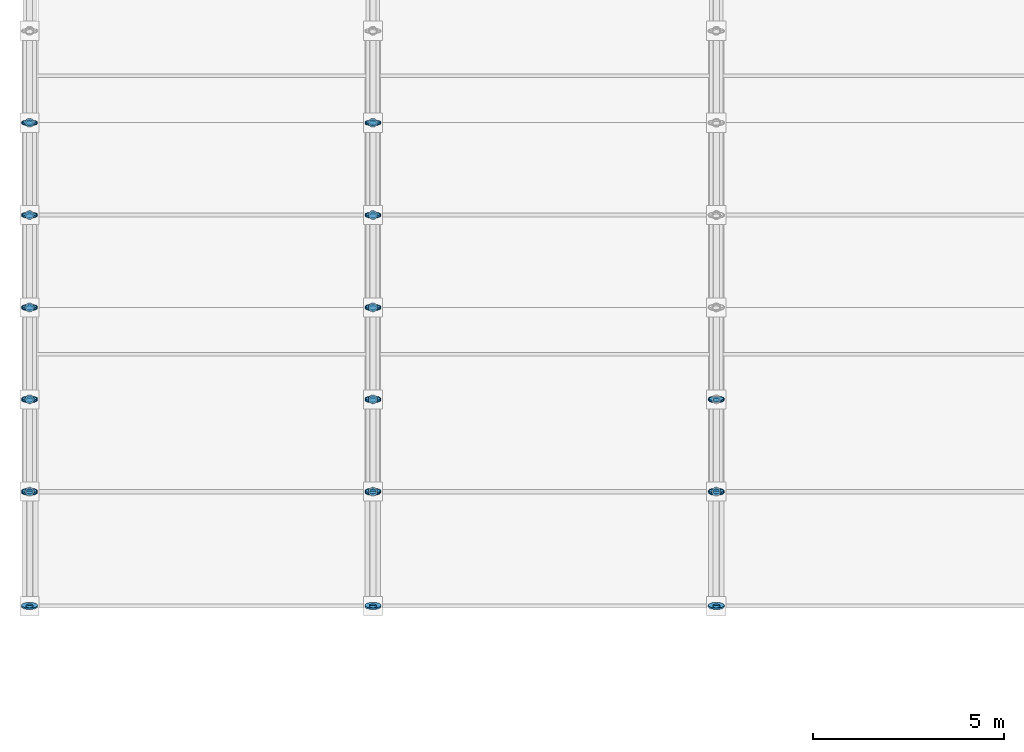
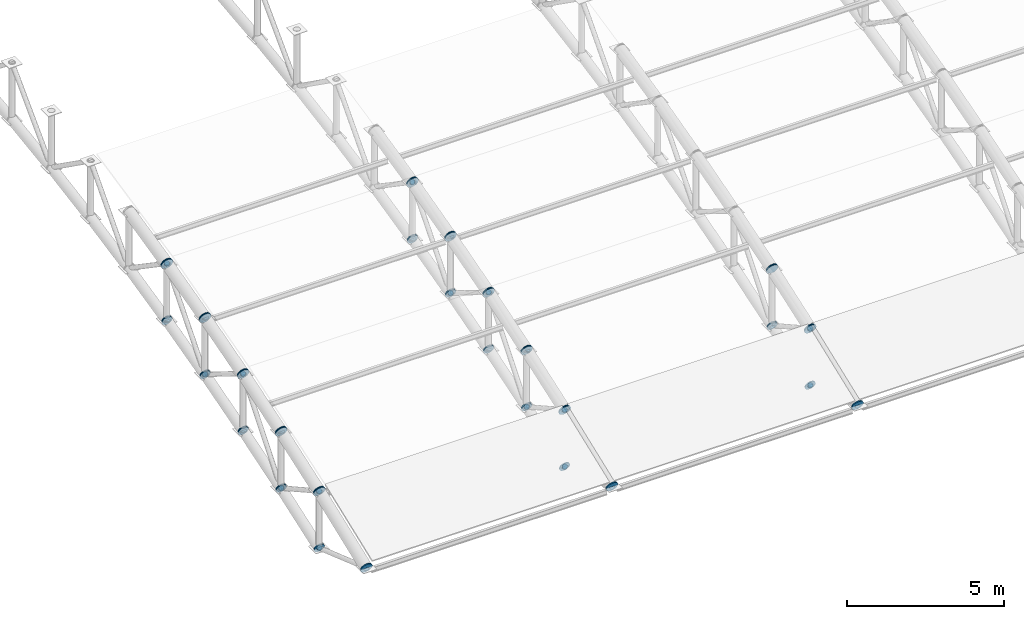
# One storey, part 117 of 195: 96 discrete accessories.
"""IFC4 building model written with IfcOpenShell, lengths in metres."""

from ifc_helpers import new_model, si_unit, direction, frame, origin, origin_2d, place, context, subcontext, project, spatial, circle, extrude, material, element, save


model = new_model("IFC4")

# Units and contexts
model_context = context("Model", 3, precision=1e-05, world=origin(), true_north=direction((0.0, 1.0)))
body_context = subcontext(model_context, "Body", "Model", "MODEL_VIEW")
ifc_project = project(units=[si_unit("LENGTHUNIT", "METRE"), si_unit("AREAUNIT", "SQUARE_METRE"), si_unit("VOLUMEUNIT", "CUBIC_METRE"), si_unit("PLANEANGLEUNIT", "RADIAN"), si_unit("MASSUNIT", "GRAM", prefix="KILO")], contexts=[model_context])

# Site, building, storey
site_placement = place(None, origin())
site = spatial("IfcSite", under=ifc_project, at=site_placement, CompositionType="ELEMENT")
building_placement = place(site_placement, origin())
building = spatial("IfcBuilding", under=site, at=building_placement, Name="Marlcrest Central Station", CompositionType="ELEMENT")
storey_placement = place(building_placement, frame((0.0, 0.0, 9.800048828125)))
storey = spatial("IfcBuildingStorey", under=building, at=storey_placement, Name="L02", CompositionType="ELEMENT", Elevation=9.800048828125)

# Discrete accessories
ifc_material = material(Name="Steel S355", Category="steel")
for number, where, z_axis, x_axis, name in (
    (1, (0.0, 33.486083984375, 0.4404296875), (0.0, 0.933324071143, 0.359035065453), (-1.0, 0.0, 0.0), "endcap-mem-AC-01-L02-00061-s"),
    (2, (0.0, 36.4765625, 1.5908203125), (0.0, 0.933324071143, 0.359035065453), (-1.0, 0.0, 0.0), "endcap-mem-AC-01-L02-00061-e"),
):
    element("IfcDiscreteAccessory", number, at=place(storey_placement, frame(where, z_axis=z_axis, x_axis=x_axis)), inside=storey, material=ifc_material, Name=name, ObjectType="END_CAP_PLATE", PredefinedType="BRACKET", context=body_context, shape_type="SweptSolid", body=[
        extrude(circle(Radius=0.211181640625, at=origin_2d()), origin(), (0.0, 0.0, 1.0), 0.0400390625),
    ])
for number, where, z_axis, x_axis, name in (
    (3, (0.0, 36.51416015625, -0.60498046875), (0.0, -0.944260188635, 0.329200085296), (1.0, 0.0, 0.0), "endcap-mem-AD-01-L02-00062-s"),
    (4, (0.0, 33.523681640625, 0.4375), (0.0, -0.944260188635, 0.329200085296), (1.0, 0.0, 0.0), "endcap-mem-AD-01-L02-00062-e"),
):
    element("IfcDiscreteAccessory", number, at=place(storey_placement, frame(where, z_axis=z_axis, x_axis=x_axis)), inside=storey, material=ifc_material, Name=name, ObjectType="END_CAP_PLATE", PredefinedType="BRACKET", context=body_context, shape_type="SweptSolid", body=[
        extrude(circle(Radius=0.092041015625, at=origin_2d()), origin(), (0.0, 0.0, 1.0), 0.0400390625),
    ])
for number, where, z_axis, x_axis, name in (
    (5, (0.0, 36.48583984375, 1.594970703125), (0.0, 0.94353735649, 0.331266142109), (-1.0, 0.0, 0.0), "endcap-mem-AC-01-L02-00063-s"),
    (6, (0.0, 38.896240234375, 2.441162109375), (0.0, 0.94353735649, 0.331266142109), (-1.0, 0.0, 0.0), "endcap-mem-AC-01-L02-00063-e"),
):
    element("IfcDiscreteAccessory", number, at=place(storey_placement, frame(where, z_axis=z_axis, x_axis=x_axis)), inside=storey, material=ifc_material, Name=name, ObjectType="END_CAP_PLATE", PredefinedType="BRACKET", context=body_context, shape_type="SweptSolid", body=[
        extrude(circle(Radius=0.211181640625, at=origin_2d()), origin(), (0.0, 0.0, 1.0), 0.0400390625),
    ])
for number, where, z_axis, x_axis, name in (
    (7, (0.0, 36.48583984375, -0.60498046875), (0.0, 0.94353735649, 0.331266142109), (-1.0, 0.0, 0.0), "endcap-mem-AC-02-L02-00064-s"),
    (8, (0.0, 38.896240234375, 0.2412109375), (0.0, 0.94353735649, 0.331266142109), (-1.0, 0.0, 0.0), "endcap-mem-AC-02-L02-00064-e"),
):
    element("IfcDiscreteAccessory", number, at=place(storey_placement, frame(where, z_axis=z_axis, x_axis=x_axis)), inside=storey, material=ifc_material, Name=name, ObjectType="END_CAP_PLATE", PredefinedType="BRACKET", context=body_context, shape_type="SweptSolid", body=[
        extrude(circle(Radius=0.185791015625, at=origin_2d()), origin(), (0.0, 0.0, 1.0), 0.0400390625),
    ])
for number, where, z_axis, x_axis, name in (
    (9, (0.0, 36.5, -0.614990234375), (0.0, 0.0, 1.0), (1.0, 0.0, 0.0), "endcap-mem-AP-01-L02-00065-s"),
    (10, (0.0, 36.5, 1.574951171875), (0.0, 0.0, 1.0), (1.0, 0.0, 0.0), "endcap-mem-AP-01-L02-00065-e"),
):
    element("IfcDiscreteAccessory", number, at=place(storey_placement, frame(where, z_axis=z_axis, x_axis=x_axis)), inside=storey, material=ifc_material, Name=name, ObjectType="END_CAP_PLATE", PredefinedType="BRACKET", context=body_context, shape_type="SweptSolid", body=[
        extrude(circle(Radius=0.117431640625, at=origin_2d()), origin(), (0.0, 0.0, 1.0), 0.0400390625),
    ])
for number, where, z_axis, x_axis, name in (
    (11, (0.0, 36.48681640625, 1.607177734375), (0.0, 0.873245653167, -0.487280236851), (-1.0, 0.0, 0.0), "endcap-mem-AD-01-L02-00066-s"),
    (12, (0.0, 38.898193359375, 0.26171875), (0.0, 0.873245653167, -0.487280236851), (-1.0, 0.0, 0.0), "endcap-mem-AD-01-L02-00066-e"),
):
    element("IfcDiscreteAccessory", number, at=place(storey_placement, frame(where, z_axis=z_axis, x_axis=x_axis)), inside=storey, material=ifc_material, Name=name, ObjectType="END_CAP_PLATE", PredefinedType="BRACKET", context=body_context, shape_type="SweptSolid", body=[
        extrude(circle(Radius=0.092041015625, at=origin_2d()), origin(), (0.0, 0.0, 1.0), 0.0400390625),
    ])
for number, where, z_axis, x_axis, name in (
    (13, (0.0, 38.90576171875, 2.44482421875), (0.0, 0.952116828449, 0.305734435391), (-1.0, 0.0, 0.0), "endcap-mem-AC-01-L02-00067-s"),
    (14, (0.0, 41.306396484375, 3.2158203125), (0.0, 0.952116828449, 0.305734435391), (-1.0, 0.0, 0.0), "endcap-mem-AC-01-L02-00067-e"),
):
    element("IfcDiscreteAccessory", number, at=place(storey_placement, frame(where, z_axis=z_axis, x_axis=x_axis)), inside=storey, material=ifc_material, Name=name, ObjectType="END_CAP_PLATE", PredefinedType="BRACKET", context=body_context, shape_type="SweptSolid", body=[
        extrude(circle(Radius=0.211181640625, at=origin_2d()), origin(), (0.0, 0.0, 1.0), 0.0400390625),
    ])
for number, where, z_axis, x_axis, name in (
    (15, (0.0, 38.90576171875, 0.244873046875), (0.0, 0.952116828449, 0.305734435391), (-1.0, 0.0, 0.0), "endcap-mem-AC-02-L02-00068-s"),
    (16, (0.0, 41.306396484375, 1.015869140625), (0.0, 0.952116828449, 0.305734435391), (-1.0, 0.0, 0.0), "endcap-mem-AC-02-L02-00068-e"),
):
    element("IfcDiscreteAccessory", number, at=place(storey_placement, frame(where, z_axis=z_axis, x_axis=x_axis)), inside=storey, material=ifc_material, Name=name, ObjectType="END_CAP_PLATE", PredefinedType="BRACKET", context=body_context, shape_type="SweptSolid", body=[
        extrude(circle(Radius=0.185791015625, at=origin_2d()), origin(), (0.0, 0.0, 1.0), 0.0400390625),
    ])
for number, where, z_axis, x_axis, name in (
    (17, (0.0, 38.919921875, 0.234619140625), (0.0, 0.0, 1.0), (1.0, 0.0, 0.0), "endcap-mem-AP-01-L02-00069-s"),
    (18, (0.0, 38.919921875, 2.424560546875), (0.0, 0.0, 1.0), (1.0, 0.0, 0.0), "endcap-mem-AP-01-L02-00069-e"),
):
    element("IfcDiscreteAccessory", number, at=place(storey_placement, frame(where, z_axis=z_axis, x_axis=x_axis)), inside=storey, material=ifc_material, Name=name, ObjectType="END_CAP_PLATE", PredefinedType="BRACKET", context=body_context, shape_type="SweptSolid", body=[
        extrude(circle(Radius=0.117431640625, at=origin_2d()), origin(), (0.0, 0.0, 1.0), 0.0400390625),
    ])
for number, where, z_axis, x_axis, name in (
    (19, (0.0, 38.910400390625, 0.23779296875), (0.0, 0.62962929743, 0.776895712318), (-1.0, 0.0, 0.0), "endcap-mem-AD-01-L02-00070-s"),
    (20, (0.0, 41.314453125, 3.203857421875), (0.0, 0.62962929743, 0.776895712318), (-1.0, 0.0, 0.0), "endcap-mem-AD-01-L02-00070-e"),
):
    element("IfcDiscreteAccessory", number, at=place(storey_placement, frame(where, z_axis=z_axis, x_axis=x_axis)), inside=storey, material=ifc_material, Name=name, ObjectType="END_CAP_PLATE", PredefinedType="BRACKET", context=body_context, shape_type="SweptSolid", body=[
        extrude(circle(Radius=0.092041015625, at=origin_2d()), origin(), (0.0, 0.0, 1.0), 0.0400390625),
    ])
for number, where, z_axis, x_axis, name in (
    (21, (0.0, 41.315673828125, 3.21923828125), (0.0, 0.960130083362, 0.27955361386), (-1.0, 0.0, 0.0), "endcap-mem-AC-01-L02-00071-s"),
    (22, (0.0, 43.72607421875, 3.9208984375), (0.0, 0.960130083362, 0.27955361386), (-1.0, 0.0, 0.0), "endcap-mem-AC-01-L02-00071-e"),
):
    element("IfcDiscreteAccessory", number, at=place(storey_placement, frame(where, z_axis=z_axis, x_axis=x_axis)), inside=storey, material=ifc_material, Name=name, ObjectType="END_CAP_PLATE", PredefinedType="BRACKET", context=body_context, shape_type="SweptSolid", body=[
        extrude(circle(Radius=0.211181640625, at=origin_2d()), origin(), (0.0, 0.0, 1.0), 0.0400390625),
    ])
for number, where, z_axis, x_axis, name in (
    (23, (0.0, 41.315673828125, 1.019287109375), (0.0, 0.960130083362, 0.27955361386), (-1.0, 0.0, 0.0), "endcap-mem-AC-02-L02-00072-s"),
    (24, (0.0, 43.72607421875, 1.720947265625), (0.0, 0.960130083362, 0.27955361386), (-1.0, 0.0, 0.0), "endcap-mem-AC-02-L02-00072-e"),
):
    element("IfcDiscreteAccessory", number, at=place(storey_placement, frame(where, z_axis=z_axis, x_axis=x_axis)), inside=storey, material=ifc_material, Name=name, ObjectType="END_CAP_PLATE", PredefinedType="BRACKET", context=body_context, shape_type="SweptSolid", body=[
        extrude(circle(Radius=0.185791015625, at=origin_2d()), origin(), (0.0, 0.0, 1.0), 0.0400390625),
    ])
for number, where, z_axis, x_axis, name in (
    (25, (0.0, 41.330078125, 1.008544921875), (0.0, 0.0, 1.0), (1.0, 0.0, 0.0), "endcap-mem-AP-01-L02-00073-s"),
    (26, (0.0, 41.330078125, 3.198486328125), (0.0, 0.0, 1.0), (1.0, 0.0, 0.0), "endcap-mem-AP-01-L02-00073-e"),
):
    element("IfcDiscreteAccessory", number, at=place(storey_placement, frame(where, z_axis=z_axis, x_axis=x_axis)), inside=storey, material=ifc_material, Name=name, ObjectType="END_CAP_PLATE", PredefinedType="BRACKET", context=body_context, shape_type="SweptSolid", body=[
        extrude(circle(Radius=0.117431640625, at=origin_2d()), origin(), (0.0, 0.0, 1.0), 0.0400390625),
    ])
for number, where, z_axis, x_axis, name in (
    (27, (0.0, 41.3173828125, 3.231201171875), (0.0, 0.850687380038, -0.525671933286), (-1.0, 0.0, 0.0), "endcap-mem-AD-01-L02-00074-s"),
    (28, (0.0, 43.728759765625, 1.7412109375), (0.0, 0.850687380038, -0.525671933286), (-1.0, 0.0, 0.0), "endcap-mem-AD-01-L02-00074-e"),
):
    element("IfcDiscreteAccessory", number, at=place(storey_placement, frame(where, z_axis=z_axis, x_axis=x_axis)), inside=storey, material=ifc_material, Name=name, ObjectType="END_CAP_PLATE", PredefinedType="BRACKET", context=body_context, shape_type="SweptSolid", body=[
        extrude(circle(Radius=0.092041015625, at=origin_2d()), origin(), (0.0, 0.0, 1.0), 0.0400390625),
    ])
for number, where, z_axis, x_axis, name in (
    (29, (0.0, 43.735595703125, 3.924072265625), (0.0, 0.967539481681, 0.252719906989), (-1.0, 0.0, 0.0), "endcap-mem-AC-01-L02-00075-s"),
    (30, (0.0, 46.145751953125, 4.5537109375), (0.0, 0.967539481681, 0.252719906989), (-1.0, 0.0, 0.0), "endcap-mem-AC-01-L02-00075-e"),
):
    element("IfcDiscreteAccessory", number, at=place(storey_placement, frame(where, z_axis=z_axis, x_axis=x_axis)), inside=storey, material=ifc_material, Name=name, ObjectType="END_CAP_PLATE", PredefinedType="BRACKET", context=body_context, shape_type="SweptSolid", body=[
        extrude(circle(Radius=0.211181640625, at=origin_2d()), origin(), (0.0, 0.0, 1.0), 0.0400390625),
    ])
for number, where, z_axis, x_axis, name in (
    (31, (0.0, 43.735595703125, 1.72412109375), (0.0, 0.967563345928, 0.252628524946), (-1.0, 0.0, 0.0), "endcap-mem-AC-02-L02-00076-s"),
    (32, (0.0, 46.145751953125, 2.353515625), (0.0, 0.967563345928, 0.252628524946), (-1.0, 0.0, 0.0), "endcap-mem-AC-02-L02-00076-e"),
):
    element("IfcDiscreteAccessory", number, at=place(storey_placement, frame(where, z_axis=z_axis, x_axis=x_axis)), inside=storey, material=ifc_material, Name=name, ObjectType="END_CAP_PLATE", PredefinedType="BRACKET", context=body_context, shape_type="SweptSolid", body=[
        extrude(circle(Radius=0.185791015625, at=origin_2d()), origin(), (0.0, 0.0, 1.0), 0.0400390625),
    ])
for number, where, z_axis, x_axis, name in (
    (33, (0.0, 43.75, 1.713134765625), (0.0, 0.0, 1.0), (1.0, 0.0, 0.0), "endcap-mem-AP-01-L02-00077-s"),
    (34, (0.0, 43.75, 3.903076171875), (0.0, 0.0, 1.0), (1.0, 0.0, 0.0), "endcap-mem-AP-01-L02-00077-e"),
):
    element("IfcDiscreteAccessory", number, at=place(storey_placement, frame(where, z_axis=z_axis, x_axis=x_axis)), inside=storey, material=ifc_material, Name=name, ObjectType="END_CAP_PLATE", PredefinedType="BRACKET", context=body_context, shape_type="SweptSolid", body=[
        extrude(circle(Radius=0.117431640625, at=origin_2d()), origin(), (0.0, 0.0, 1.0), 0.0400390625),
    ])
for number, where, z_axis, x_axis, name in (
    (35, (0.0, 43.740234375, 1.716552734375), (0.0, 0.649624779144, 0.760254987699), (-1.0, 0.0, 0.0), "endcap-mem-AD-01-L02-00078-s"),
    (36, (0.0, 46.153564453125, 4.541015625), (0.0, 0.649624779144, 0.760254987699), (-1.0, 0.0, 0.0), "endcap-mem-AD-01-L02-00078-e"),
):
    element("IfcDiscreteAccessory", number, at=place(storey_placement, frame(where, z_axis=z_axis, x_axis=x_axis)), inside=storey, material=ifc_material, Name=name, ObjectType="END_CAP_PLATE", PredefinedType="BRACKET", context=body_context, shape_type="SweptSolid", body=[
        extrude(circle(Radius=0.092041015625, at=origin_2d()), origin(), (0.0, 0.0, 1.0), 0.0400390625),
    ])
discrete_accessory_1_placement = place(storey_placement, frame((0.0, 46.1552734375, 4.556640625), z_axis=(0.0, 0.974329612642, 0.225126200004), x_axis=(-1.0, 0.0, 0.0)))
element("IfcDiscreteAccessory", 37, at=discrete_accessory_1_placement, inside=storey, material=ifc_material, Name="endcap-mem-AC-01-L02-00079-s", ObjectType="END_CAP_PLATE", PredefinedType="BRACKET", context=body_context, shape_type="SweptSolid", body=[
    extrude(circle(Radius=0.211181640625, at=origin_2d()), origin(), (0.0, 0.0, 1.0), 0.0400390625),
])
discrete_accessory_2_placement = place(storey_placement, frame((0.0, 46.1552734375, 2.3564453125), z_axis=(0.0, 0.974307959875, 0.225219891049), x_axis=(-1.0, 0.0, 0.0)))
element("IfcDiscreteAccessory", 38, at=discrete_accessory_2_placement, inside=storey, material=ifc_material, Name="endcap-mem-AC-02-L02-00080-s", ObjectType="END_CAP_PLATE", PredefinedType="BRACKET", context=body_context, shape_type="SweptSolid", body=[
    extrude(circle(Radius=0.185791015625, at=origin_2d()), origin(), (0.0, 0.0, 1.0), 0.0400390625),
])
for number, where, z_axis, x_axis, name in (
    (39, (0.0, 46.169921875, 2.344970703125), (0.0, 0.0, 1.0), (1.0, 0.0, 0.0), "endcap-mem-AP-01-L02-00081-s"),
    (40, (0.0, 46.169921875, 4.53515625), (0.0, 0.0, 1.0), (1.0, 0.0, 0.0), "endcap-mem-AP-01-L02-00081-e"),
):
    element("IfcDiscreteAccessory", number, at=place(storey_placement, frame(where, z_axis=z_axis, x_axis=x_axis)), inside=storey, material=ifc_material, Name=name, ObjectType="END_CAP_PLATE", PredefinedType="BRACKET", context=body_context, shape_type="SweptSolid", body=[
        extrude(circle(Radius=0.117431640625, at=origin_2d()), origin(), (0.0, 0.0, 1.0), 0.0400390625),
    ])
discrete_accessory_3_placement = place(storey_placement, frame((0.0, 46.157470703125, 4.568603515625), z_axis=(0.0, 0.82626275624, -0.563284881432), x_axis=(-1.0, 0.0, 0.0)))
element("IfcDiscreteAccessory", 41, at=discrete_accessory_3_placement, inside=storey, material=ifc_material, Name="endcap-mem-AD-01-L02-00082-s", ObjectType="END_CAP_PLATE", PredefinedType="BRACKET", context=body_context, shape_type="SweptSolid", body=[
    extrude(circle(Radius=0.092041015625, at=origin_2d()), origin(), (0.0, 0.0, 1.0), 0.0400390625),
])
for number, where, z_axis, x_axis, name in (
    (42, (9.0, 33.486083984375, 0.4404296875), (0.0, 0.933324071143, 0.359035065453), (-1.0, 0.0, 0.0), "endcap-mem-AC-01-L02-00177-s"),
    (43, (9.0, 36.4765625, 1.5908203125), (0.0, 0.933324071143, 0.359035065453), (-1.0, 0.0, 0.0), "endcap-mem-AC-01-L02-00177-e"),
):
    element("IfcDiscreteAccessory", number, at=place(storey_placement, frame(where, z_axis=z_axis, x_axis=x_axis)), inside=storey, material=ifc_material, Name=name, ObjectType="END_CAP_PLATE", PredefinedType="BRACKET", context=body_context, shape_type="SweptSolid", body=[
        extrude(circle(Radius=0.211181640625, at=origin_2d()), origin(), (0.0, 0.0, 1.0), 0.0400390625),
    ])
for number, where, z_axis, x_axis, name in (
    (44, (9.0, 36.51416015625, -0.60498046875), (0.0, -0.944260188635, 0.329200085296), (1.0, 0.0, 0.0), "endcap-mem-AD-01-L02-00178-s"),
    (45, (9.0, 33.523681640625, 0.4375), (0.0, -0.944260188635, 0.329200085296), (1.0, 0.0, 0.0), "endcap-mem-AD-01-L02-00178-e"),
):
    element("IfcDiscreteAccessory", number, at=place(storey_placement, frame(where, z_axis=z_axis, x_axis=x_axis)), inside=storey, material=ifc_material, Name=name, ObjectType="END_CAP_PLATE", PredefinedType="BRACKET", context=body_context, shape_type="SweptSolid", body=[
        extrude(circle(Radius=0.092041015625, at=origin_2d()), origin(), (0.0, 0.0, 1.0), 0.0400390625),
    ])
for number, where, z_axis, x_axis, name in (
    (46, (9.0, 36.48583984375, 1.594970703125), (0.0, 0.94353735649, 0.331266142109), (-1.0, 0.0, 0.0), "endcap-mem-AC-01-L02-00179-s"),
    (47, (9.0, 38.896240234375, 2.441162109375), (0.0, 0.94353735649, 0.331266142109), (-1.0, 0.0, 0.0), "endcap-mem-AC-01-L02-00179-e"),
):
    element("IfcDiscreteAccessory", number, at=place(storey_placement, frame(where, z_axis=z_axis, x_axis=x_axis)), inside=storey, material=ifc_material, Name=name, ObjectType="END_CAP_PLATE", PredefinedType="BRACKET", context=body_context, shape_type="SweptSolid", body=[
        extrude(circle(Radius=0.211181640625, at=origin_2d()), origin(), (0.0, 0.0, 1.0), 0.0400390625),
    ])
for number, where, z_axis, x_axis, name in (
    (48, (9.0, 36.48583984375, -0.60498046875), (0.0, 0.94353735649, 0.331266142109), (-1.0, 0.0, 0.0), "endcap-mem-AC-02-L02-00180-s"),
    (49, (9.0, 38.896240234375, 0.2412109375), (0.0, 0.94353735649, 0.331266142109), (-1.0, 0.0, 0.0), "endcap-mem-AC-02-L02-00180-e"),
):
    element("IfcDiscreteAccessory", number, at=place(storey_placement, frame(where, z_axis=z_axis, x_axis=x_axis)), inside=storey, material=ifc_material, Name=name, ObjectType="END_CAP_PLATE", PredefinedType="BRACKET", context=body_context, shape_type="SweptSolid", body=[
        extrude(circle(Radius=0.185791015625, at=origin_2d()), origin(), (0.0, 0.0, 1.0), 0.0400390625),
    ])
for number, where, z_axis, x_axis, name in (
    (50, (9.0, 36.5, -0.614990234375), (0.0, 0.0, 1.0), (1.0, 0.0, 0.0), "endcap-mem-AP-01-L02-00181-s"),
    (51, (9.0, 36.5, 1.574951171875), (0.0, 0.0, 1.0), (1.0, 0.0, 0.0), "endcap-mem-AP-01-L02-00181-e"),
):
    element("IfcDiscreteAccessory", number, at=place(storey_placement, frame(where, z_axis=z_axis, x_axis=x_axis)), inside=storey, material=ifc_material, Name=name, ObjectType="END_CAP_PLATE", PredefinedType="BRACKET", context=body_context, shape_type="SweptSolid", body=[
        extrude(circle(Radius=0.117431640625, at=origin_2d()), origin(), (0.0, 0.0, 1.0), 0.0400390625),
    ])
for number, where, z_axis, x_axis, name in (
    (52, (9.0, 36.48681640625, 1.607177734375), (0.0, 0.873245653167, -0.487280236851), (-1.0, 0.0, 0.0), "endcap-mem-AD-01-L02-00182-s"),
    (53, (9.0, 38.898193359375, 0.26171875), (0.0, 0.873245653167, -0.487280236851), (-1.0, 0.0, 0.0), "endcap-mem-AD-01-L02-00182-e"),
):
    element("IfcDiscreteAccessory", number, at=place(storey_placement, frame(where, z_axis=z_axis, x_axis=x_axis)), inside=storey, material=ifc_material, Name=name, ObjectType="END_CAP_PLATE", PredefinedType="BRACKET", context=body_context, shape_type="SweptSolid", body=[
        extrude(circle(Radius=0.092041015625, at=origin_2d()), origin(), (0.0, 0.0, 1.0), 0.0400390625),
    ])
for number, where, z_axis, x_axis, name in (
    (54, (9.0, 38.90576171875, 2.44482421875), (0.0, 0.952116828449, 0.305734435391), (-1.0, 0.0, 0.0), "endcap-mem-AC-01-L02-00183-s"),
    (55, (9.0, 41.306396484375, 3.2158203125), (0.0, 0.952116828449, 0.305734435391), (-1.0, 0.0, 0.0), "endcap-mem-AC-01-L02-00183-e"),
):
    element("IfcDiscreteAccessory", number, at=place(storey_placement, frame(where, z_axis=z_axis, x_axis=x_axis)), inside=storey, material=ifc_material, Name=name, ObjectType="END_CAP_PLATE", PredefinedType="BRACKET", context=body_context, shape_type="SweptSolid", body=[
        extrude(circle(Radius=0.211181640625, at=origin_2d()), origin(), (0.0, 0.0, 1.0), 0.0400390625),
    ])
for number, where, z_axis, x_axis, name in (
    (56, (9.0, 38.90576171875, 0.244873046875), (0.0, 0.952116828449, 0.305734435391), (-1.0, 0.0, 0.0), "endcap-mem-AC-02-L02-00184-s"),
    (57, (9.0, 41.306396484375, 1.015869140625), (0.0, 0.952116828449, 0.305734435391), (-1.0, 0.0, 0.0), "endcap-mem-AC-02-L02-00184-e"),
):
    element("IfcDiscreteAccessory", number, at=place(storey_placement, frame(where, z_axis=z_axis, x_axis=x_axis)), inside=storey, material=ifc_material, Name=name, ObjectType="END_CAP_PLATE", PredefinedType="BRACKET", context=body_context, shape_type="SweptSolid", body=[
        extrude(circle(Radius=0.185791015625, at=origin_2d()), origin(), (0.0, 0.0, 1.0), 0.0400390625),
    ])
for number, where, z_axis, x_axis, name in (
    (58, (9.0, 38.919921875, 0.234619140625), (0.0, 0.0, 1.0), (1.0, 0.0, 0.0), "endcap-mem-AP-01-L02-00185-s"),
    (59, (9.0, 38.919921875, 2.424560546875), (0.0, 0.0, 1.0), (1.0, 0.0, 0.0), "endcap-mem-AP-01-L02-00185-e"),
):
    element("IfcDiscreteAccessory", number, at=place(storey_placement, frame(where, z_axis=z_axis, x_axis=x_axis)), inside=storey, material=ifc_material, Name=name, ObjectType="END_CAP_PLATE", PredefinedType="BRACKET", context=body_context, shape_type="SweptSolid", body=[
        extrude(circle(Radius=0.117431640625, at=origin_2d()), origin(), (0.0, 0.0, 1.0), 0.0400390625),
    ])
for number, where, z_axis, x_axis, name in (
    (60, (9.0, 38.910400390625, 0.23779296875), (0.0, 0.62962929743, 0.776895712318), (-1.0, 0.0, 0.0), "endcap-mem-AD-01-L02-00186-s"),
    (61, (9.0, 41.314453125, 3.203857421875), (0.0, 0.62962929743, 0.776895712318), (-1.0, 0.0, 0.0), "endcap-mem-AD-01-L02-00186-e"),
):
    element("IfcDiscreteAccessory", number, at=place(storey_placement, frame(where, z_axis=z_axis, x_axis=x_axis)), inside=storey, material=ifc_material, Name=name, ObjectType="END_CAP_PLATE", PredefinedType="BRACKET", context=body_context, shape_type="SweptSolid", body=[
        extrude(circle(Radius=0.092041015625, at=origin_2d()), origin(), (0.0, 0.0, 1.0), 0.0400390625),
    ])
for number, where, z_axis, x_axis, name in (
    (62, (9.0, 41.315673828125, 3.21923828125), (0.0, 0.960130083362, 0.27955361386), (-1.0, 0.0, 0.0), "endcap-mem-AC-01-L02-00187-s"),
    (63, (9.0, 43.72607421875, 3.9208984375), (0.0, 0.960130083362, 0.27955361386), (-1.0, 0.0, 0.0), "endcap-mem-AC-01-L02-00187-e"),
):
    element("IfcDiscreteAccessory", number, at=place(storey_placement, frame(where, z_axis=z_axis, x_axis=x_axis)), inside=storey, material=ifc_material, Name=name, ObjectType="END_CAP_PLATE", PredefinedType="BRACKET", context=body_context, shape_type="SweptSolid", body=[
        extrude(circle(Radius=0.211181640625, at=origin_2d()), origin(), (0.0, 0.0, 1.0), 0.0400390625),
    ])
for number, where, z_axis, x_axis, name in (
    (64, (9.0, 41.315673828125, 1.019287109375), (0.0, 0.960130083362, 0.27955361386), (-1.0, 0.0, 0.0), "endcap-mem-AC-02-L02-00188-s"),
    (65, (9.0, 43.72607421875, 1.720947265625), (0.0, 0.960130083362, 0.27955361386), (-1.0, 0.0, 0.0), "endcap-mem-AC-02-L02-00188-e"),
):
    element("IfcDiscreteAccessory", number, at=place(storey_placement, frame(where, z_axis=z_axis, x_axis=x_axis)), inside=storey, material=ifc_material, Name=name, ObjectType="END_CAP_PLATE", PredefinedType="BRACKET", context=body_context, shape_type="SweptSolid", body=[
        extrude(circle(Radius=0.185791015625, at=origin_2d()), origin(), (0.0, 0.0, 1.0), 0.0400390625),
    ])
for number, where, z_axis, x_axis, name in (
    (66, (9.0, 41.330078125, 1.008544921875), (0.0, 0.0, 1.0), (1.0, 0.0, 0.0), "endcap-mem-AP-01-L02-00189-s"),
    (67, (9.0, 41.330078125, 3.198486328125), (0.0, 0.0, 1.0), (1.0, 0.0, 0.0), "endcap-mem-AP-01-L02-00189-e"),
):
    element("IfcDiscreteAccessory", number, at=place(storey_placement, frame(where, z_axis=z_axis, x_axis=x_axis)), inside=storey, material=ifc_material, Name=name, ObjectType="END_CAP_PLATE", PredefinedType="BRACKET", context=body_context, shape_type="SweptSolid", body=[
        extrude(circle(Radius=0.117431640625, at=origin_2d()), origin(), (0.0, 0.0, 1.0), 0.0400390625),
    ])
for number, where, z_axis, x_axis, name in (
    (68, (9.0, 41.3173828125, 3.231201171875), (0.0, 0.850687380038, -0.525671933286), (-1.0, 0.0, 0.0), "endcap-mem-AD-01-L02-00190-s"),
    (69, (9.0, 43.728759765625, 1.7412109375), (0.0, 0.850687380038, -0.525671933286), (-1.0, 0.0, 0.0), "endcap-mem-AD-01-L02-00190-e"),
):
    element("IfcDiscreteAccessory", number, at=place(storey_placement, frame(where, z_axis=z_axis, x_axis=x_axis)), inside=storey, material=ifc_material, Name=name, ObjectType="END_CAP_PLATE", PredefinedType="BRACKET", context=body_context, shape_type="SweptSolid", body=[
        extrude(circle(Radius=0.092041015625, at=origin_2d()), origin(), (0.0, 0.0, 1.0), 0.0400390625),
    ])
for number, where, z_axis, x_axis, name in (
    (70, (9.0, 43.735595703125, 3.924072265625), (0.0, 0.967539481681, 0.252719906989), (-1.0, 0.0, 0.0), "endcap-mem-AC-01-L02-00191-s"),
    (71, (9.0, 46.145751953125, 4.5537109375), (0.0, 0.967539481681, 0.252719906989), (-1.0, 0.0, 0.0), "endcap-mem-AC-01-L02-00191-e"),
):
    element("IfcDiscreteAccessory", number, at=place(storey_placement, frame(where, z_axis=z_axis, x_axis=x_axis)), inside=storey, material=ifc_material, Name=name, ObjectType="END_CAP_PLATE", PredefinedType="BRACKET", context=body_context, shape_type="SweptSolid", body=[
        extrude(circle(Radius=0.211181640625, at=origin_2d()), origin(), (0.0, 0.0, 1.0), 0.0400390625),
    ])
for number, where, z_axis, x_axis, name in (
    (72, (9.0, 43.735595703125, 1.72412109375), (0.0, 0.967563345928, 0.252628524946), (-1.0, 0.0, 0.0), "endcap-mem-AC-02-L02-00192-s"),
    (73, (9.0, 46.145751953125, 2.353515625), (0.0, 0.967563345928, 0.252628524946), (-1.0, 0.0, 0.0), "endcap-mem-AC-02-L02-00192-e"),
):
    element("IfcDiscreteAccessory", number, at=place(storey_placement, frame(where, z_axis=z_axis, x_axis=x_axis)), inside=storey, material=ifc_material, Name=name, ObjectType="END_CAP_PLATE", PredefinedType="BRACKET", context=body_context, shape_type="SweptSolid", body=[
        extrude(circle(Radius=0.185791015625, at=origin_2d()), origin(), (0.0, 0.0, 1.0), 0.0400390625),
    ])
for number, where, z_axis, x_axis, name in (
    (74, (9.0, 43.75, 1.713134765625), (0.0, 0.0, 1.0), (1.0, 0.0, 0.0), "endcap-mem-AP-01-L02-00193-s"),
    (75, (9.0, 43.75, 3.903076171875), (0.0, 0.0, 1.0), (1.0, 0.0, 0.0), "endcap-mem-AP-01-L02-00193-e"),
):
    element("IfcDiscreteAccessory", number, at=place(storey_placement, frame(where, z_axis=z_axis, x_axis=x_axis)), inside=storey, material=ifc_material, Name=name, ObjectType="END_CAP_PLATE", PredefinedType="BRACKET", context=body_context, shape_type="SweptSolid", body=[
        extrude(circle(Radius=0.117431640625, at=origin_2d()), origin(), (0.0, 0.0, 1.0), 0.0400390625),
    ])
for number, where, z_axis, x_axis, name in (
    (76, (9.0, 43.740234375, 1.716552734375), (0.0, 0.649624779144, 0.760254987699), (-1.0, 0.0, 0.0), "endcap-mem-AD-01-L02-00194-s"),
    (77, (9.0, 46.153564453125, 4.541015625), (0.0, 0.649624779144, 0.760254987699), (-1.0, 0.0, 0.0), "endcap-mem-AD-01-L02-00194-e"),
):
    element("IfcDiscreteAccessory", number, at=place(storey_placement, frame(where, z_axis=z_axis, x_axis=x_axis)), inside=storey, material=ifc_material, Name=name, ObjectType="END_CAP_PLATE", PredefinedType="BRACKET", context=body_context, shape_type="SweptSolid", body=[
        extrude(circle(Radius=0.092041015625, at=origin_2d()), origin(), (0.0, 0.0, 1.0), 0.0400390625),
    ])
discrete_accessory_4_placement = place(storey_placement, frame((9.0, 46.1552734375, 4.556640625), z_axis=(0.0, 0.974329612642, 0.225126200004), x_axis=(-1.0, 0.0, 0.0)))
element("IfcDiscreteAccessory", 78, at=discrete_accessory_4_placement, inside=storey, material=ifc_material, Name="endcap-mem-AC-01-L02-00195-s", ObjectType="END_CAP_PLATE", PredefinedType="BRACKET", context=body_context, shape_type="SweptSolid", body=[
    extrude(circle(Radius=0.211181640625, at=origin_2d()), origin(), (0.0, 0.0, 1.0), 0.0400390625),
])
discrete_accessory_5_placement = place(storey_placement, frame((9.0, 46.1552734375, 2.3564453125), z_axis=(0.0, 0.974307959875, 0.225219891049), x_axis=(-1.0, 0.0, 0.0)))
element("IfcDiscreteAccessory", 79, at=discrete_accessory_5_placement, inside=storey, material=ifc_material, Name="endcap-mem-AC-02-L02-00196-s", ObjectType="END_CAP_PLATE", PredefinedType="BRACKET", context=body_context, shape_type="SweptSolid", body=[
    extrude(circle(Radius=0.185791015625, at=origin_2d()), origin(), (0.0, 0.0, 1.0), 0.0400390625),
])
for number, where, z_axis, x_axis, name in (
    (80, (9.0, 46.169921875, 2.344970703125), (0.0, 0.0, 1.0), (1.0, 0.0, 0.0), "endcap-mem-AP-01-L02-00197-s"),
    (81, (9.0, 46.169921875, 4.53515625), (0.0, 0.0, 1.0), (1.0, 0.0, 0.0), "endcap-mem-AP-01-L02-00197-e"),
):
    element("IfcDiscreteAccessory", number, at=place(storey_placement, frame(where, z_axis=z_axis, x_axis=x_axis)), inside=storey, material=ifc_material, Name=name, ObjectType="END_CAP_PLATE", PredefinedType="BRACKET", context=body_context, shape_type="SweptSolid", body=[
        extrude(circle(Radius=0.117431640625, at=origin_2d()), origin(), (0.0, 0.0, 1.0), 0.0400390625),
    ])
discrete_accessory_6_placement = place(storey_placement, frame((9.0, 46.157470703125, 4.568603515625), z_axis=(0.0, 0.82626275624, -0.563284881432), x_axis=(-1.0, 0.0, 0.0)))
element("IfcDiscreteAccessory", 82, at=discrete_accessory_6_placement, inside=storey, material=ifc_material, Name="endcap-mem-AD-01-L02-00198-s", ObjectType="END_CAP_PLATE", PredefinedType="BRACKET", context=body_context, shape_type="SweptSolid", body=[
    extrude(circle(Radius=0.092041015625, at=origin_2d()), origin(), (0.0, 0.0, 1.0), 0.0400390625),
])
for number, where, z_axis, x_axis, name in (
    (83, (18.0, 33.486083984375, 0.4404296875), (0.0, 0.933324071143, 0.359035065453), (-1.0, 0.0, 0.0), "endcap-mem-AC-01-L02-00293-s"),
    (84, (18.0, 36.4765625, 1.5908203125), (0.0, 0.933324071143, 0.359035065453), (-1.0, 0.0, 0.0), "endcap-mem-AC-01-L02-00293-e"),
):
    element("IfcDiscreteAccessory", number, at=place(storey_placement, frame(where, z_axis=z_axis, x_axis=x_axis)), inside=storey, material=ifc_material, Name=name, ObjectType="END_CAP_PLATE", PredefinedType="BRACKET", context=body_context, shape_type="SweptSolid", body=[
        extrude(circle(Radius=0.211181640625, at=origin_2d()), origin(), (0.0, 0.0, 1.0), 0.0400390625),
    ])
for number, where, z_axis, x_axis, name in (
    (85, (18.0, 36.51416015625, -0.60498046875), (0.0, -0.944260188635, 0.329200085296), (1.0, 0.0, 0.0), "endcap-mem-AD-01-L02-00294-s"),
    (86, (18.0, 33.523681640625, 0.4375), (0.0, -0.944260188635, 0.329200085296), (1.0, 0.0, 0.0), "endcap-mem-AD-01-L02-00294-e"),
):
    element("IfcDiscreteAccessory", number, at=place(storey_placement, frame(where, z_axis=z_axis, x_axis=x_axis)), inside=storey, material=ifc_material, Name=name, ObjectType="END_CAP_PLATE", PredefinedType="BRACKET", context=body_context, shape_type="SweptSolid", body=[
        extrude(circle(Radius=0.092041015625, at=origin_2d()), origin(), (0.0, 0.0, 1.0), 0.0400390625),
    ])
for number, where, z_axis, x_axis, name in (
    (87, (18.0, 36.48583984375, 1.594970703125), (0.0, 0.94353735649, 0.331266142109), (-1.0, 0.0, 0.0), "endcap-mem-AC-01-L02-00295-s"),
    (88, (18.0, 38.896240234375, 2.441162109375), (0.0, 0.94353735649, 0.331266142109), (-1.0, 0.0, 0.0), "endcap-mem-AC-01-L02-00295-e"),
):
    element("IfcDiscreteAccessory", number, at=place(storey_placement, frame(where, z_axis=z_axis, x_axis=x_axis)), inside=storey, material=ifc_material, Name=name, ObjectType="END_CAP_PLATE", PredefinedType="BRACKET", context=body_context, shape_type="SweptSolid", body=[
        extrude(circle(Radius=0.211181640625, at=origin_2d()), origin(), (0.0, 0.0, 1.0), 0.0400390625),
    ])
for number, where, z_axis, x_axis, name in (
    (89, (18.0, 36.48583984375, -0.60498046875), (0.0, 0.94353735649, 0.331266142109), (-1.0, 0.0, 0.0), "endcap-mem-AC-02-L02-00296-s"),
    (90, (18.0, 38.896240234375, 0.2412109375), (0.0, 0.94353735649, 0.331266142109), (-1.0, 0.0, 0.0), "endcap-mem-AC-02-L02-00296-e"),
):
    element("IfcDiscreteAccessory", number, at=place(storey_placement, frame(where, z_axis=z_axis, x_axis=x_axis)), inside=storey, material=ifc_material, Name=name, ObjectType="END_CAP_PLATE", PredefinedType="BRACKET", context=body_context, shape_type="SweptSolid", body=[
        extrude(circle(Radius=0.185791015625, at=origin_2d()), origin(), (0.0, 0.0, 1.0), 0.0400390625),
    ])
for number, where, z_axis, x_axis, name in (
    (91, (18.0, 36.5, -0.614990234375), (0.0, 0.0, 1.0), (1.0, 0.0, 0.0), "endcap-mem-AP-01-L02-00297-s"),
    (92, (18.0, 36.5, 1.574951171875), (0.0, 0.0, 1.0), (1.0, 0.0, 0.0), "endcap-mem-AP-01-L02-00297-e"),
):
    element("IfcDiscreteAccessory", number, at=place(storey_placement, frame(where, z_axis=z_axis, x_axis=x_axis)), inside=storey, material=ifc_material, Name=name, ObjectType="END_CAP_PLATE", PredefinedType="BRACKET", context=body_context, shape_type="SweptSolid", body=[
        extrude(circle(Radius=0.117431640625, at=origin_2d()), origin(), (0.0, 0.0, 1.0), 0.0400390625),
    ])
for number, where, z_axis, x_axis, name in (
    (93, (18.0, 36.48681640625, 1.607177734375), (0.0, 0.873245653167, -0.487280236851), (-1.0, 0.0, 0.0), "endcap-mem-AD-01-L02-00298-s"),
    (94, (18.0, 38.898193359375, 0.26171875), (0.0, 0.873245653167, -0.487280236851), (-1.0, 0.0, 0.0), "endcap-mem-AD-01-L02-00298-e"),
):
    element("IfcDiscreteAccessory", number, at=place(storey_placement, frame(where, z_axis=z_axis, x_axis=x_axis)), inside=storey, material=ifc_material, Name=name, ObjectType="END_CAP_PLATE", PredefinedType="BRACKET", context=body_context, shape_type="SweptSolid", body=[
        extrude(circle(Radius=0.092041015625, at=origin_2d()), origin(), (0.0, 0.0, 1.0), 0.0400390625),
    ])
discrete_accessory_7_placement = place(storey_placement, frame((18.0, 38.90576171875, 2.44482421875), z_axis=(0.0, 0.952116828449, 0.305734435391), x_axis=(-1.0, 0.0, 0.0)))
element("IfcDiscreteAccessory", 95, at=discrete_accessory_7_placement, inside=storey, material=ifc_material, Name="endcap-mem-AC-01-L02-00299-s", ObjectType="END_CAP_PLATE", PredefinedType="BRACKET", context=body_context, shape_type="SweptSolid", body=[
    extrude(circle(Radius=0.211181640625, at=origin_2d()), origin(), (0.0, 0.0, 1.0), 0.0400390625),
])
discrete_accessory_8_placement = place(storey_placement, frame((18.0, 38.90576171875, 0.244873046875), z_axis=(0.0, 0.952116828449, 0.305734435391), x_axis=(-1.0, 0.0, 0.0)))
element("IfcDiscreteAccessory", 96, at=discrete_accessory_8_placement, inside=storey, material=ifc_material, Name="endcap-mem-AC-02-L02-00300-s", ObjectType="END_CAP_PLATE", PredefinedType="BRACKET", context=body_context, shape_type="SweptSolid", body=[
    extrude(circle(Radius=0.185791015625, at=origin_2d()), origin(), (0.0, 0.0, 1.0), 0.0400390625),
])

save(model, "model.ifc")
